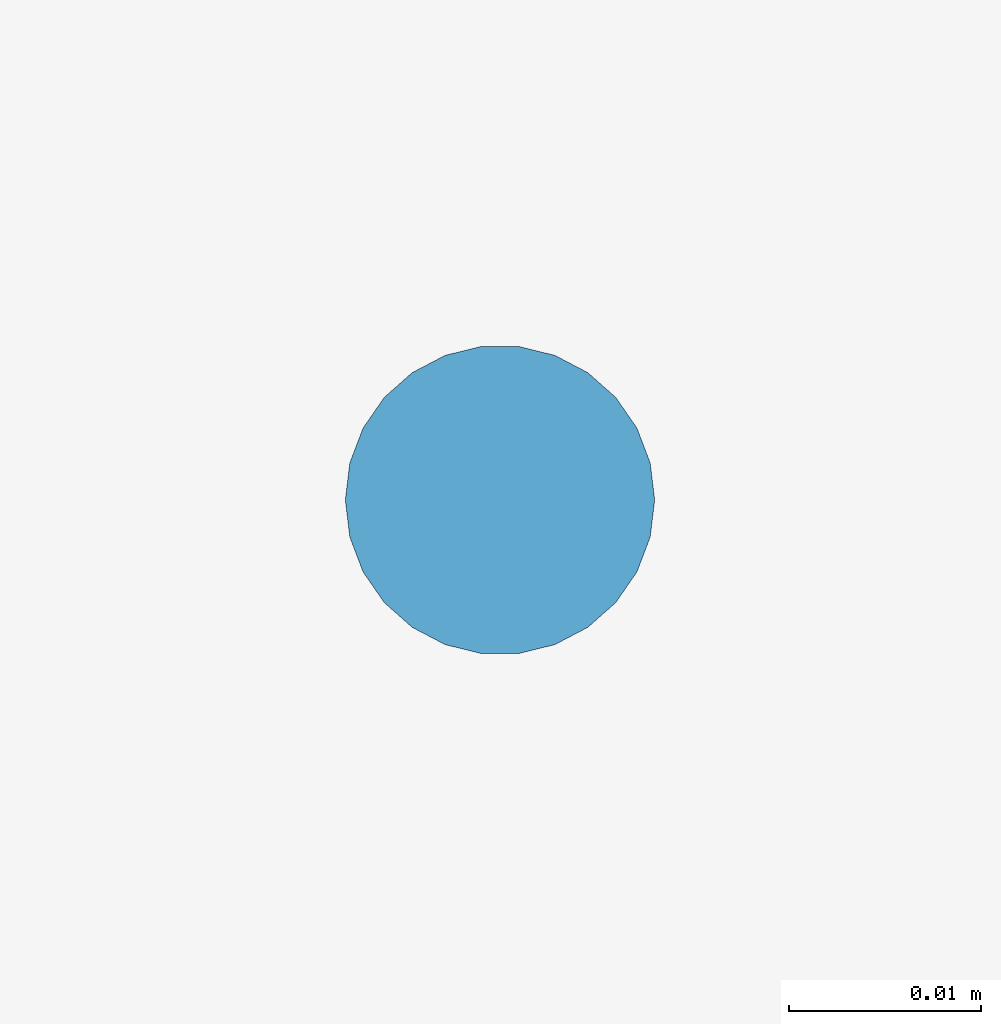
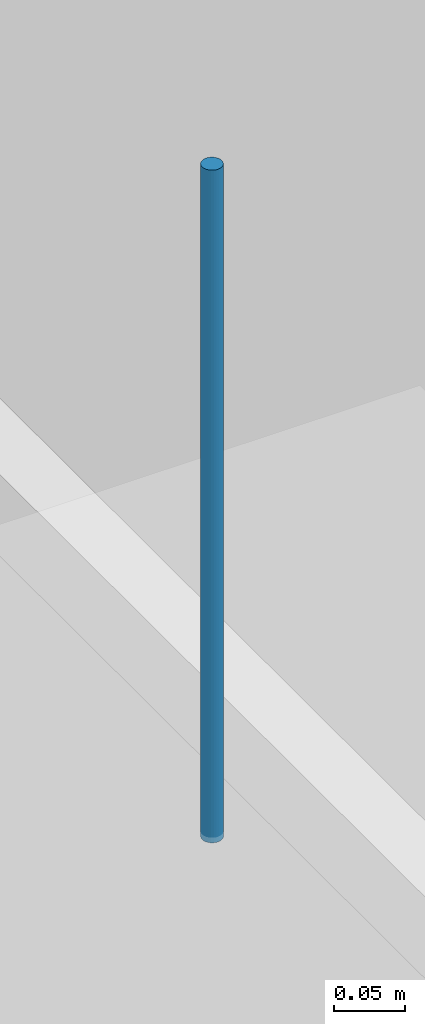
# One storey, part 20 of 22: 1 discrete accessory.
"""IFC4 building model written with IfcOpenShell, lengths in metres."""

from ifc_helpers import new_model, si_unit, direction, frame, origin, origin_2d, place, context, subcontext, project, spatial, circle, extrude, material, type_object, element, save


model = new_model("IFC4")

# Units and contexts
model_context = context("Model", 3, precision=1e-05, world=origin(), true_north=direction((0.0, 1.0)))
body_context = subcontext(model_context, "Body", "Model", "MODEL_VIEW")
ifc_project = project(units=[si_unit("LENGTHUNIT", "METRE"), si_unit("AREAUNIT", "SQUARE_METRE"), si_unit("VOLUMEUNIT", "CUBIC_METRE"), si_unit("PLANEANGLEUNIT", "RADIAN"), si_unit("MASSUNIT", "GRAM", prefix="KILO")], contexts=[model_context])

# Site, building, storey
site_placement = place(None, origin())
site = spatial("IfcSite", under=ifc_project, at=site_placement, CompositionType="ELEMENT")
building_placement = place(site_placement, origin())
building = spatial("IfcBuilding", under=site, at=building_placement, Name="Yukiwa Park Conservatory and Herbarium", CompositionType="ELEMENT")
storey_placement = place(building_placement, frame((0.0, 0.0, 35.39990234375)))
storey = spatial("IfcBuildingStorey", under=building, at=storey_placement, Name="L09", CompositionType="ELEMENT", Elevation=35.39990234375)

# Discrete accessory
ifc_material = material(Name="Steel Q235B", Category="steel")
discrete_accessory_type = type_object("IfcDiscreteAccessoryType", Name="ACC-CEILING-HANGER", PredefinedType="BRACKET", material=ifc_material)
discrete_accessory_placement = place(storey_placement, frame((166.60009765625, 91.39990234375, 2.675048828125), z_axis=(0.0, 0.0, 1.0), x_axis=(1.0, 0.0, 0.0)))
element("IfcDiscreteAccessory", 1, at=discrete_accessory_placement, inside=storey, type_object=discrete_accessory_type, Name="Ceiling suspension hanger rod 23", PredefinedType="BRACKET", context=body_context, shape_type="SweptSolid", body=[
    extrude(circle(Radius=0.008056640625, at=origin_2d()), origin(), (0.0, 0.0, 1.0), 0.578125),
])

save(model, "model.ifc")
